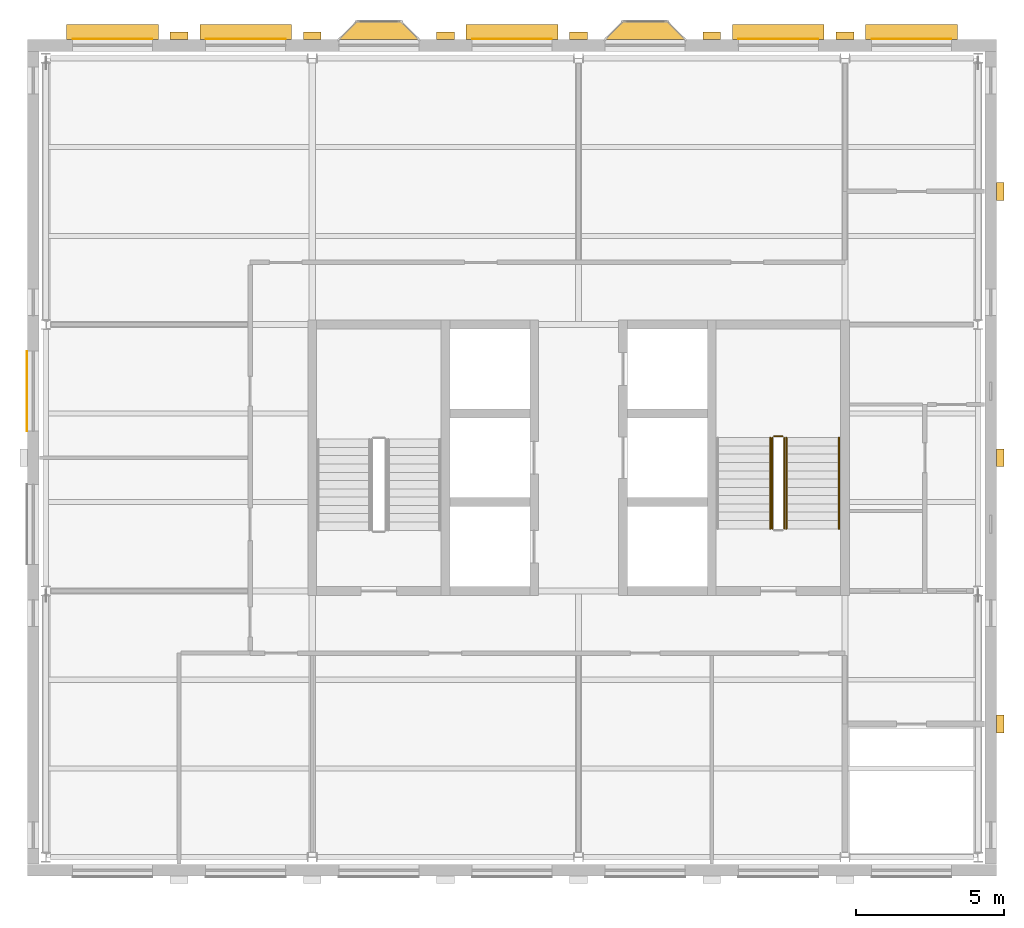
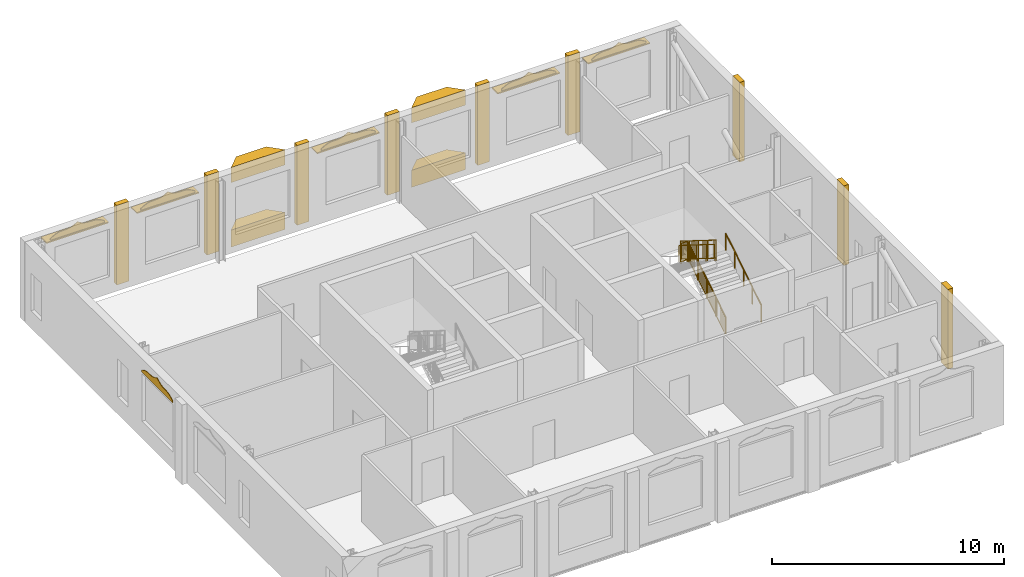
# One storey, part 9 of 9: 19 coverings, 6 railings, 5 shading devices.
"""IFC4 building model written with IfcOpenShell, lengths in metres."""

from ifc_helpers import new_model, si_unit, direction, frame, origin, origin_2d, place, context, subcontext, project, spatial, polyline, rectangle, circle, outline, extrude, material, layer, layer_set, type_object, element, save


model = new_model("IFC4")

# Units and contexts
model_context = context("Model", 3, precision=1e-05, world=origin(), true_north=direction((0.0, 1.0)))
body_context = subcontext(model_context, "Body", "Model", "MODEL_VIEW")
ifc_project = project(units=[si_unit("LENGTHUNIT", "METRE"), si_unit("AREAUNIT", "SQUARE_METRE"), si_unit("VOLUMEUNIT", "CUBIC_METRE"), si_unit("PLANEANGLEUNIT", "RADIAN"), si_unit("MASSUNIT", "GRAM", prefix="KILO")], contexts=[model_context])

# Site, building, storey
site_placement = place(None, origin())
site = spatial("IfcSite", under=ifc_project, at=site_placement, CompositionType="ELEMENT")
building_placement = place(site_placement, origin())
building = spatial("IfcBuilding", under=site, at=building_placement, Name="Hortulan Conservatory and Botanical Research Centre", CompositionType="ELEMENT")
storey_placement = place(building_placement, frame((0.0, 0.0, 40.199951171875)))
storey = spatial("IfcBuildingStorey", under=building, at=storey_placement, Name="L09", CompositionType="ELEMENT", Elevation=40.199951171875)

# Shading devices
ifc_material_1 = material(Name="Bronze-finished perforated aluminium", Category="aluminium")
ifc_layer_1 = layer(ifc_material_1, 0.06005859375)
ifc_layer_set_1 = layer_set([ifc_layer_1], Name="Catenary Hood 3100x500x60")
shading_device_type = type_object("IfcShadingDeviceType", Name="Catenary Hood 3100x500x60", PredefinedType="USERDEFINED", material=ifc_layer_set_1)
for number, where, z_axis, x_axis, name in (
    (1, (2.25, 27.885986328125, 3.409912109375), (0.0, 0.0, 1.0), (1.0, 0.0, 0.0), "Catenary hood"),
    (2, (6.75, 27.885986328125, 3.409912109375), (0.0, 0.0, 1.0), (1.0, 0.0, 0.0), "Catenary hood"),
    (3, (15.75, 27.885986328125, 3.409912109375), (0.0, 0.0, 1.0), (1.0, 0.0, 0.0), "Catenary hood"),
    (4, (24.75, 27.885986328125, 3.409912109375), (0.0, 0.0, 1.0), (1.0, 0.0, 0.0), "Catenary hood"),
    (5, (29.25, 27.885986328125, 3.409912109375), (0.0, 0.0, 1.0), (1.0, 0.0, 0.0), "Catenary hood"),
):
    element("IfcShadingDevice", number, at=place(storey_placement, frame(where, z_axis=z_axis, x_axis=x_axis)), inside=storey, type_object=shading_device_type, Name=name, ObjectType="Catenary hood", PredefinedType="USERDEFINED", context=body_context, shape_type="SweptSolid", body=[
        extrude(rectangle(XDim=3.10009765625, YDim=0.5, at=origin_2d()), origin(), (0.0, 0.0, 1.0), 0.06005859375),
    ])

# Coverings
ifc_material_2 = material(Name="Faience cladding, cream glaze (non-combustible)", Category="ceramic")
ifc_layer_2 = layer(ifc_material_2, 0.030029296875)
ifc_layer_set_2 = layer_set([ifc_layer_2], Name="Faience Ogee Head Panel Cream 2700x500")
covering_type_1 = type_object("IfcCoveringType", Name="Faience Ogee Head Panel Cream 2700x500", PredefinedType="CLADDING", material=ifc_layer_set_2)
for number, where, z_axis, x_axis, name in (
    (6, (-0.639892578125, 14.39990234375, 3.52001953125), (0.0, 0.0, 1.0), (0.0, 1.0, 0.0), "Ogee head panel"),
    (7, (14.39990234375, 27.65087890625, 3.52001953125), (0.0, 0.0, 1.0), (1.0, 0.0, 0.0), "Ogee head panel"),
):
    element("IfcCovering", number, at=place(storey_placement, frame(where, z_axis=z_axis, x_axis=x_axis)), inside=storey, type_object=covering_type_1, Name=name, PredefinedType="CLADDING", context=body_context, shape_type="SweptSolid", body=[
        extrude(outline(polyline([(0.0, 0.0), (2.699951171875, 0.0), (2.699951171875, 0.080078125), (2.58740234375, 0.148681640625), (2.47509765625, 0.208251953125), (2.362548828125, 0.252197265625), (2.25, 0.2783203125), (2.137451171875, 0.28857421875), (2.02490234375, 0.2900390625), (1.91259765625, 0.29150390625), (1.800048828125, 0.3017578125), (1.6875, 0.327880859375), (1.574951171875, 0.371826171875), (1.46240234375, 0.431396484375), (1.35009765625, 0.5), (1.237548828125, 0.431396484375), (1.125, 0.371826171875), (1.012451171875, 0.327880859375), (0.89990234375, 0.3017578125), (0.78759765625, 0.29150390625), (0.675048828125, 0.2900390625), (0.5625, 0.28857421875), (0.449951171875, 0.2783203125), (0.33740234375, 0.252197265625), (0.22509765625, 0.208251953125), (0.112548828125, 0.148681640625), (0.0, 0.080078125), (0.0, 0.0)])), frame((0.0, 0.01513671875, 0.0), z_axis=(0.0, -1.0, 0.0), x_axis=(1.0, 0.0, 0.0)), (0.0, 0.0, 1.0), 0.030029296875),
    ])
ifc_material_3 = material(Name="Faience cladding, waratah crimson glaze (non-combustible)", Category="ceramic")
ifc_layer_3 = layer(ifc_material_3, 0.030029296875)
ifc_layer_set_3 = layer_set([ifc_layer_3], Name="Faience Ogee Head Panel Crimson 2700x500")
covering_type_2 = type_object("IfcCoveringType", Name="Faience Ogee Head Panel Crimson 2700x500", PredefinedType="CLADDING", material=ifc_layer_set_3)
for number, where, z_axis, x_axis, name in (
    (8, (0.89990234375, 27.65087890625, 3.52001953125), (0.0, 0.0, 1.0), (1.0, 0.0, 0.0), "Ogee head panel"),
    (9, (23.39990234375, 27.65087890625, 3.52001953125), (0.0, 0.0, 1.0), (1.0, 0.0, 0.0), "Ogee head panel"),
    (10, (27.89990234375, 27.65087890625, 3.52001953125), (0.0, 0.0, 1.0), (1.0, 0.0, 0.0), "Ogee head panel"),
):
    element("IfcCovering", number, at=place(storey_placement, frame(where, z_axis=z_axis, x_axis=x_axis)), inside=storey, type_object=covering_type_2, Name=name, PredefinedType="CLADDING", context=body_context, shape_type="SweptSolid", body=[
        extrude(outline(polyline([(0.0, 0.0), (2.699951171875, 0.0), (2.699951171875, 0.080078125), (2.58740234375, 0.148681640625), (2.47509765625, 0.208251953125), (2.362548828125, 0.252197265625), (2.25, 0.2783203125), (2.137451171875, 0.28857421875), (2.02490234375, 0.2900390625), (1.91259765625, 0.29150390625), (1.800048828125, 0.3017578125), (1.6875, 0.327880859375), (1.574951171875, 0.371826171875), (1.46240234375, 0.431396484375), (1.35009765625, 0.5), (1.237548828125, 0.431396484375), (1.125, 0.371826171875), (1.012451171875, 0.327880859375), (0.89990234375, 0.3017578125), (0.78759765625, 0.29150390625), (0.675048828125, 0.2900390625), (0.5625, 0.28857421875), (0.449951171875, 0.2783203125), (0.33740234375, 0.252197265625), (0.22509765625, 0.208251953125), (0.112548828125, 0.148681640625), (0.0, 0.080078125), (0.0, 0.0)])), frame((0.0, 0.01513671875, 0.0), z_axis=(0.0, -1.0, 0.0), x_axis=(1.0, 0.0, 0.0)), (0.0, 0.0, 1.0), 0.030029296875),
    ])
ifc_material_4 = material(Name="Faience cladding, harbour teal glaze (non-combustible)", Category="ceramic")
ifc_layer_4 = layer(ifc_material_4, 0.030029296875)
ifc_layer_set_4 = layer_set([ifc_layer_4], Name="Faience Ogee Head Panel Teal 2700x500")
covering_type_3 = type_object("IfcCoveringType", Name="Faience Ogee Head Panel Teal 2700x500", PredefinedType="CLADDING", material=ifc_layer_set_4)
covering_1_placement = place(storey_placement, frame((5.39990234375, 27.65087890625, 3.52001953125), z_axis=(0.0, 0.0, 1.0), x_axis=(1.0, 0.0, 0.0)))
element("IfcCovering", 11, at=covering_1_placement, inside=storey, type_object=covering_type_3, Name="Ogee head panel", PredefinedType="CLADDING", context=body_context, shape_type="SweptSolid", body=[
    extrude(outline(polyline([(0.0, 0.0), (2.699951171875, 0.0), (2.699951171875, 0.080078125), (2.58740234375, 0.148681640625), (2.47509765625, 0.208251953125), (2.362548828125, 0.252197265625), (2.25, 0.2783203125), (2.137451171875, 0.28857421875), (2.02490234375, 0.2900390625), (1.91259765625, 0.29150390625), (1.800048828125, 0.3017578125), (1.6875, 0.327880859375), (1.574951171875, 0.371826171875), (1.46240234375, 0.431396484375), (1.35009765625, 0.5), (1.237548828125, 0.431396484375), (1.125, 0.371826171875), (1.012451171875, 0.327880859375), (0.89990234375, 0.3017578125), (0.78759765625, 0.29150390625), (0.675048828125, 0.2900390625), (0.5625, 0.28857421875), (0.449951171875, 0.2783203125), (0.33740234375, 0.252197265625), (0.22509765625, 0.208251953125), (0.112548828125, 0.148681640625), (0.0, 0.080078125), (0.0, 0.0)])), frame((0.0, 0.01513671875, 0.0), z_axis=(0.0, -1.0, 0.0), x_axis=(1.0, 0.0, 0.0)), (0.0, 0.0, 1.0), 0.030029296875),
])
ifc_material_5 = material(Name="Faience-faced brickwork masonry", Category="masonry")
covering_type_4 = type_object("IfcCoveringType", Name="Faience Oriel Base", PredefinedType="CLADDING", material=ifc_material_5)
covering_2_placement = place(storey_placement, origin())
element("IfcCovering", 12, at=covering_2_placement, inside=storey, type_object=covering_type_4, Name="Oriel base", PredefinedType="CLADDING", context=body_context, shape_type="SweptSolid", body=[
    extrude(outline(polyline([(9.89990234375, 27.635986328125), (10.5, 28.236083984375), (12.0, 28.236083984375), (12.60009765625, 27.635986328125), (9.89990234375, 27.635986328125)])), origin(), (0.0, 0.0, 1.0), 0.900146484375),
])
covering_3_placement = place(storey_placement, origin())
element("IfcCovering", 13, at=covering_3_placement, inside=storey, type_object=covering_type_4, Name="Oriel base", PredefinedType="CLADDING", context=body_context, shape_type="SweptSolid", body=[
    extrude(outline(polyline([(18.89990234375, 27.635986328125), (19.5, 28.236083984375), (21.0, 28.236083984375), (21.60009765625, 27.635986328125), (18.89990234375, 27.635986328125)])), origin(), (0.0, 0.0, 1.0), 0.900146484375),
])
covering_type_5 = type_object("IfcCoveringType", Name="Faience Oriel Frieze", PredefinedType="CLADDING", material=ifc_material_5)
covering_4_placement = place(storey_placement, frame((0.0, 0.0, 3.400146484375)))
element("IfcCovering", 14, at=covering_4_placement, inside=storey, type_object=covering_type_5, Name="Oriel frieze", PredefinedType="CLADDING", context=body_context, shape_type="SweptSolid", body=[
    extrude(outline(polyline([(9.89990234375, 27.635986328125), (10.5, 28.236083984375), (12.0, 28.236083984375), (12.60009765625, 27.635986328125), (9.89990234375, 27.635986328125)])), origin(), (0.0, 0.0, 1.0), 0.7998046875),
])
covering_5_placement = place(storey_placement, frame((0.0, 0.0, 3.400146484375)))
element("IfcCovering", 15, at=covering_5_placement, inside=storey, type_object=covering_type_5, Name="Oriel frieze", PredefinedType="CLADDING", context=body_context, shape_type="SweptSolid", body=[
    extrude(outline(polyline([(18.89990234375, 27.635986328125), (19.5, 28.236083984375), (21.0, 28.236083984375), (21.60009765625, 27.635986328125), (18.89990234375, 27.635986328125)])), origin(), (0.0, 0.0, 1.0), 0.7998046875),
])
ifc_layer_5 = layer(ifc_material_2, 0.25)
ifc_layer_set_5 = layer_set([ifc_layer_5], Name="Faience Pilaster 600x250")
covering_type_6 = type_object("IfcCoveringType", Name="Faience Pilaster 600x250", PredefinedType="CLADDING", material=ifc_layer_set_5)
for number, where, z_axis, x_axis, name in (
    (16, (4.5, 27.760986328125, 0.0), (0.0, 0.0, 1.0), (1.0, 0.0, 0.0), "Pier"),
    (17, (9.0, 27.760986328125, 0.0), (0.0, 0.0, 1.0), (1.0, 0.0, 0.0), "Pier"),
    (18, (13.5, 27.760986328125, 0.0), (0.0, 0.0, 1.0), (1.0, 0.0, 0.0), "Pier"),
    (19, (18.0, 27.760986328125, 0.0), (0.0, 0.0, 1.0), (1.0, 0.0, 0.0), "Pier"),
    (20, (22.5, 27.760986328125, 0.0), (0.0, 0.0, 1.0), (1.0, 0.0, 0.0), "Pier"),
    (21, (27.0, 27.760986328125, 0.0), (0.0, 0.0, 1.0), (1.0, 0.0, 0.0), "Pier"),
    (22, (32.25, 4.5, 0.0), (0.0, 0.0, 1.0), (0.0, 1.0, 0.0), "Pier"),
    (23, (32.25, 13.5, 0.0), (0.0, 0.0, 1.0), (0.0, 1.0, 0.0), "Pier"),
    (24, (32.25, 22.5, 0.0), (0.0, 0.0, 1.0), (0.0, 1.0, 0.0), "Pier"),
):
    element("IfcCovering", number, at=place(storey_placement, frame(where, z_axis=z_axis, x_axis=x_axis)), inside=storey, type_object=covering_type_6, Name=name, PredefinedType="CLADDING", context=body_context, shape_type="SweptSolid", body=[
        extrude(rectangle(XDim=0.60009765625, YDim=0.25, at=origin_2d()), origin(), (0.0, 0.0, 1.0), 4.199951171875),
    ])

# Railings
ifc_material_6 = material(Name="Steel balustrade, bronze-charcoal paint", Category="steel")
railing_type_1 = type_object("IfcRailingType", Name="Stair Guard 1100", PredefinedType="GUARDRAIL", material=ifc_material_6)
railing_1_placement = place(storey_placement, frame((24.949951171875, 11.10009765625, 0.175048828125)))
element("IfcRailing", 25, at=railing_1_placement, inside=storey, type_object=railing_type_1, Name="Guard T2 L09 stair 1", PredefinedType="GUARDRAIL", context=body_context, shape_type="SweptSolid", body=[
    extrude(circle(Radius=0.02392578125, at=origin_2d()), frame((0.0, 0.0, 1.076171875), z_axis=(0.0, 0.847979421464, 0.530029150871), x_axis=(-1.0, 0.0, 0.0)), (0.0, 0.0, 1.0), 3.632080078125),
    extrude(circle(Radius=0.02392578125, at=origin_2d()), frame((0.0, 0.0, 0.1240234375), z_axis=(0.0, 0.847979421464, 0.530029150871), x_axis=(-1.0, 0.0, 0.0)), (0.0, 0.0, 1.0), 3.632080078125),
    extrude(circle(Radius=0.008056640625, at=origin_2d()), frame((0.0, 0.090576171875, 0.204833984375)), (0.0, 0.0, 1.0), 0.90380859375),
    extrude(circle(Radius=0.008056640625, at=origin_2d()), frame((0.0, 0.18115234375, 0.261474609375)), (0.0, 0.0, 1.0), 0.90380859375),
    extrude(circle(Radius=0.008056640625, at=origin_2d()), frame((0.0, 0.271728515625, 0.318115234375)), (0.0, 0.0, 1.0), 0.90380859375),
    extrude(circle(Radius=0.008056640625, at=origin_2d()), frame((0.0, 0.3623046875, 0.374755859375)), (0.0, 0.0, 1.0), 0.90380859375),
    extrude(circle(Radius=0.008056640625, at=origin_2d()), frame((0.0, 0.452880859375, 0.431396484375)), (0.0, 0.0, 1.0), 0.90380859375),
    extrude(circle(Radius=0.008056640625, at=origin_2d()), frame((0.0, 0.54345703125, 0.48779296875)), (0.0, 0.0, 1.0), 0.90380859375),
    extrude(circle(Radius=0.008056640625, at=origin_2d()), frame((0.0, 0.634033203125, 0.54443359375)), (0.0, 0.0, 1.0), 0.90380859375),
    extrude(circle(Radius=0.008056640625, at=origin_2d()), frame((0.0, 0.724609375, 0.60107421875)), (0.0, 0.0, 1.0), 0.90380859375),
    extrude(circle(Radius=0.008056640625, at=origin_2d()), frame((0.0, 0.815185546875, 0.65771484375)), (0.0, 0.0, 1.0), 0.90380859375),
    extrude(circle(Radius=0.008056640625, at=origin_2d()), frame((0.0, 0.90576171875, 0.71435546875)), (0.0, 0.0, 1.0), 0.90380859375),
    extrude(circle(Radius=0.008056640625, at=origin_2d()), frame((0.0, 0.996337890625, 0.77099609375)), (0.0, 0.0, 1.0), 0.90380859375),
    extrude(circle(Radius=0.008056640625, at=origin_2d()), frame((0.0, 1.0869140625, 0.82763671875)), (0.0, 0.0, 1.0), 0.90380859375),
    extrude(circle(Radius=0.008056640625, at=origin_2d()), frame((0.0, 1.177490234375, 0.88427734375)), (0.0, 0.0, 1.0), 0.90380859375),
    extrude(circle(Radius=0.008056640625, at=origin_2d()), frame((0.0, 1.26806640625, 0.94091796875)), (0.0, 0.0, 1.0), 0.90380859375),
    extrude(circle(Radius=0.008056640625, at=origin_2d()), frame((0.0, 1.358642578125, 0.99755859375)), (0.0, 0.0, 1.0), 0.90380859375),
    extrude(circle(Radius=0.008056640625, at=origin_2d()), frame((0.0, 1.44921875, 1.05419921875)), (0.0, 0.0, 1.0), 0.90380859375),
    extrude(circle(Radius=0.008056640625, at=origin_2d()), frame((0.0, 1.5400390625, 1.11083984375)), (0.0, 0.0, 1.0), 0.90380859375),
    extrude(circle(Radius=0.008056640625, at=origin_2d()), frame((0.0, 1.630615234375, 1.167236328125)), (0.0, 0.0, 1.0), 0.90380859375),
    extrude(circle(Radius=0.008056640625, at=origin_2d()), frame((0.0, 1.72119140625, 1.223876953125)), (0.0, 0.0, 1.0), 0.90380859375),
    extrude(circle(Radius=0.008056640625, at=origin_2d()), frame((0.0, 1.811767578125, 1.280517578125)), (0.0, 0.0, 1.0), 0.90380859375),
    extrude(circle(Radius=0.008056640625, at=origin_2d()), frame((0.0, 1.90234375, 1.337158203125)), (0.0, 0.0, 1.0), 0.90380859375),
    extrude(circle(Radius=0.008056640625, at=origin_2d()), frame((0.0, 1.992919921875, 1.393798828125)), (0.0, 0.0, 1.0), 0.90380859375),
    extrude(circle(Radius=0.008056640625, at=origin_2d()), frame((0.0, 2.08349609375, 1.450439453125)), (0.0, 0.0, 1.0), 0.90380859375),
    extrude(circle(Radius=0.008056640625, at=origin_2d()), frame((0.0, 2.174072265625, 1.507080078125)), (0.0, 0.0, 1.0), 0.90380859375),
    extrude(circle(Radius=0.008056640625, at=origin_2d()), frame((0.0, 2.2646484375, 1.563720703125)), (0.0, 0.0, 1.0), 0.90380859375),
    extrude(circle(Radius=0.008056640625, at=origin_2d()), frame((0.0, 2.355224609375, 1.620361328125)), (0.0, 0.0, 1.0), 0.90380859375),
    extrude(circle(Radius=0.008056640625, at=origin_2d()), frame((0.0, 2.44580078125, 1.677001953125)), (0.0, 0.0, 1.0), 0.90380859375),
    extrude(circle(Radius=0.008056640625, at=origin_2d()), frame((0.0, 2.536376953125, 1.733642578125)), (0.0, 0.0, 1.0), 0.90380859375),
    extrude(circle(Radius=0.008056640625, at=origin_2d()), frame((0.0, 2.626953125, 1.7900390625)), (0.0, 0.0, 1.0), 0.90380859375),
    extrude(circle(Radius=0.008056640625, at=origin_2d()), frame((0.0, 2.717529296875, 1.8466796875)), (0.0, 0.0, 1.0), 0.90380859375),
    extrude(circle(Radius=0.008056640625, at=origin_2d()), frame((0.0, 2.80810546875, 1.9033203125)), (0.0, 0.0, 1.0), 0.90380859375),
    extrude(circle(Radius=0.008056640625, at=origin_2d()), frame((0.0, 2.898681640625, 1.9599609375)), (0.0, 0.0, 1.0), 0.90380859375),
    extrude(circle(Radius=0.008056640625, at=origin_2d()), frame((0.0, 2.9892578125, 2.0166015625)), (0.0, 0.0, 1.0), 0.90380859375),
    extrude(circle(Radius=0.02099609375, at=origin_2d()), origin(), (0.0, 0.0, 1.0), 1.052001953125),
    extrude(circle(Radius=0.02099609375, at=origin_2d()), frame((0.0, 0.77001953125, 0.481201171875)), (0.0, 0.0, 1.0), 1.052001953125),
    extrude(circle(Radius=0.02099609375, at=origin_2d()), frame((0.0, 1.5400390625, 0.96240234375)), (0.0, 0.0, 1.0), 1.052001953125),
    extrude(circle(Radius=0.02099609375, at=origin_2d()), frame((0.0, 2.309814453125, 1.44384765625)), (0.0, 0.0, 1.0), 1.052001953125),
    extrude(circle(Radius=0.02099609375, at=origin_2d()), frame((0.0, 3.079833984375, 1.925048828125)), (0.0, 0.0, 1.0), 1.052001953125),
])
railing_2_placement = place(storey_placement, frame((24.89990234375, 14.22998046875, 2.10009765625)))
element("IfcRailing", 26, at=railing_2_placement, inside=storey, type_object=railing_type_1, Name="Guard T2 L09 stair 2", PredefinedType="GUARDRAIL", context=body_context, shape_type="SweptSolid", body=[
    extrude(circle(Radius=0.02392578125, at=origin_2d()), frame((0.0, 0.0, 1.076171875), z_axis=(-1.0, 0.0, 0.0), x_axis=(0.0, -1.0, 0.0)), (0.0, 0.0, 1.0), 0.2998046875),
    extrude(circle(Radius=0.02392578125, at=origin_2d()), frame((0.0, 0.0, 0.1240234375), z_axis=(-1.0, 0.0, 0.0), x_axis=(0.0, -1.0, 0.0)), (0.0, 0.0, 1.0), 0.2998046875),
    extrude(circle(Radius=0.008056640625, at=origin_2d()), frame((-0.099853515625, 0.0, 0.148193359375)), (0.0, 0.0, 1.0), 0.90380859375),
    extrude(circle(Radius=0.008056640625, at=origin_2d()), frame((-0.199951171875, 0.0, 0.148193359375)), (0.0, 0.0, 1.0), 0.90380859375),
    extrude(circle(Radius=0.02099609375, at=origin_2d()), origin(), (0.0, 0.0, 1.0), 1.052001953125),
    extrude(circle(Radius=0.02099609375, at=origin_2d()), frame((-0.2998046875, 0.0, 0.0)), (0.0, 0.0, 1.0), 1.052001953125),
])
railing_3_placement = place(storey_placement, frame((24.550048828125, 14.179931640625, 2.275146484375)))
element("IfcRailing", 27, at=railing_3_placement, inside=storey, type_object=railing_type_1, Name="Guard T2 L09 stair 3", PredefinedType="GUARDRAIL", context=body_context, shape_type="SweptSolid", body=[
    extrude(circle(Radius=0.02392578125, at=origin_2d()), frame((0.0, 0.0, 1.076171875), z_axis=(0.0, -0.848009633417, 0.529980812513), x_axis=(1.0, 0.0, 0.0)), (0.0, 0.0, 1.0), 3.6318359375),
    extrude(circle(Radius=0.02392578125, at=origin_2d()), frame((0.0, 0.0, 0.1240234375), z_axis=(0.0, -0.848009633417, 0.529980812513), x_axis=(1.0, 0.0, 0.0)), (0.0, 0.0, 1.0), 3.6318359375),
    extrude(circle(Radius=0.008056640625, at=origin_2d()), frame((0.0, -0.090576171875, 0.204833984375)), (0.0, 0.0, 1.0), 0.90380859375),
    extrude(circle(Radius=0.008056640625, at=origin_2d()), frame((0.0, -0.18115234375, 0.261474609375)), (0.0, 0.0, 1.0), 0.90380859375),
    extrude(circle(Radius=0.008056640625, at=origin_2d()), frame((0.0, -0.271728515625, 0.318115234375)), (0.0, 0.0, 1.0), 0.90380859375),
    extrude(circle(Radius=0.008056640625, at=origin_2d()), frame((0.0, -0.3623046875, 0.374755859375)), (0.0, 0.0, 1.0), 0.90380859375),
    extrude(circle(Radius=0.008056640625, at=origin_2d()), frame((0.0, -0.452880859375, 0.43115234375)), (0.0, 0.0, 1.0), 0.90380859375),
    extrude(circle(Radius=0.008056640625, at=origin_2d()), frame((0.0, -0.54345703125, 0.48779296875)), (0.0, 0.0, 1.0), 0.90380859375),
    extrude(circle(Radius=0.008056640625, at=origin_2d()), frame((0.0, -0.634033203125, 0.54443359375)), (0.0, 0.0, 1.0), 0.90380859375),
    extrude(circle(Radius=0.008056640625, at=origin_2d()), frame((0.0, -0.724609375, 0.60107421875)), (0.0, 0.0, 1.0), 0.90380859375),
    extrude(circle(Radius=0.008056640625, at=origin_2d()), frame((0.0, -0.815185546875, 0.65771484375)), (0.0, 0.0, 1.0), 0.90380859375),
    extrude(circle(Radius=0.008056640625, at=origin_2d()), frame((0.0, -0.90576171875, 0.71435546875)), (0.0, 0.0, 1.0), 0.90380859375),
    extrude(circle(Radius=0.008056640625, at=origin_2d()), frame((0.0, -0.996337890625, 0.77099609375)), (0.0, 0.0, 1.0), 0.90380859375),
    extrude(circle(Radius=0.008056640625, at=origin_2d()), frame((0.0, -1.0869140625, 0.82763671875)), (0.0, 0.0, 1.0), 0.90380859375),
    extrude(circle(Radius=0.008056640625, at=origin_2d()), frame((0.0, -1.177490234375, 0.884033203125)), (0.0, 0.0, 1.0), 0.90380859375),
    extrude(circle(Radius=0.008056640625, at=origin_2d()), frame((0.0, -1.26806640625, 0.940673828125)), (0.0, 0.0, 1.0), 0.90380859375),
    extrude(circle(Radius=0.008056640625, at=origin_2d()), frame((0.0, -1.358642578125, 0.997314453125)), (0.0, 0.0, 1.0), 0.90380859375),
    extrude(circle(Radius=0.008056640625, at=origin_2d()), frame((0.0, -1.44921875, 1.053955078125)), (0.0, 0.0, 1.0), 0.90380859375),
    extrude(circle(Radius=0.008056640625, at=origin_2d()), frame((0.0, -1.5400390625, 1.110595703125)), (0.0, 0.0, 1.0), 0.90380859375),
    extrude(circle(Radius=0.008056640625, at=origin_2d()), frame((0.0, -1.630615234375, 1.167236328125)), (0.0, 0.0, 1.0), 0.90380859375),
    extrude(circle(Radius=0.008056640625, at=origin_2d()), frame((0.0, -1.72119140625, 1.223876953125)), (0.0, 0.0, 1.0), 0.90380859375),
    extrude(circle(Radius=0.008056640625, at=origin_2d()), frame((0.0, -1.811767578125, 1.280517578125)), (0.0, 0.0, 1.0), 0.90380859375),
    extrude(circle(Radius=0.008056640625, at=origin_2d()), frame((0.0, -1.90234375, 1.337158203125)), (0.0, 0.0, 1.0), 0.90380859375),
    extrude(circle(Radius=0.008056640625, at=origin_2d()), frame((0.0, -1.992919921875, 1.3935546875)), (0.0, 0.0, 1.0), 0.90380859375),
    extrude(circle(Radius=0.008056640625, at=origin_2d()), frame((0.0, -2.08349609375, 1.4501953125)), (0.0, 0.0, 1.0), 0.90380859375),
    extrude(circle(Radius=0.008056640625, at=origin_2d()), frame((0.0, -2.174072265625, 1.5068359375)), (0.0, 0.0, 1.0), 0.90380859375),
    extrude(circle(Radius=0.008056640625, at=origin_2d()), frame((0.0, -2.2646484375, 1.5634765625)), (0.0, 0.0, 1.0), 0.90380859375),
    extrude(circle(Radius=0.008056640625, at=origin_2d()), frame((0.0, -2.355224609375, 1.6201171875)), (0.0, 0.0, 1.0), 0.90380859375),
    extrude(circle(Radius=0.008056640625, at=origin_2d()), frame((0.0, -2.44580078125, 1.6767578125)), (0.0, 0.0, 1.0), 0.90380859375),
    extrude(circle(Radius=0.008056640625, at=origin_2d()), frame((0.0, -2.536376953125, 1.7333984375)), (0.0, 0.0, 1.0), 0.90380859375),
    extrude(circle(Radius=0.008056640625, at=origin_2d()), frame((0.0, -2.626953125, 1.7900390625)), (0.0, 0.0, 1.0), 0.90380859375),
    extrude(circle(Radius=0.008056640625, at=origin_2d()), frame((0.0, -2.717529296875, 1.846435546875)), (0.0, 0.0, 1.0), 0.90380859375),
    extrude(circle(Radius=0.008056640625, at=origin_2d()), frame((0.0, -2.80810546875, 1.903076171875)), (0.0, 0.0, 1.0), 0.90380859375),
    extrude(circle(Radius=0.008056640625, at=origin_2d()), frame((0.0, -2.898681640625, 1.959716796875)), (0.0, 0.0, 1.0), 0.90380859375),
    extrude(circle(Radius=0.008056640625, at=origin_2d()), frame((0.0, -2.9892578125, 2.016357421875)), (0.0, 0.0, 1.0), 0.90380859375),
    extrude(circle(Radius=0.02099609375, at=origin_2d()), origin(), (0.0, 0.0, 1.0), 1.052001953125),
    extrude(circle(Radius=0.02099609375, at=origin_2d()), frame((0.0, -0.77001953125, 0.481201171875)), (0.0, 0.0, 1.0), 1.052001953125),
    extrude(circle(Radius=0.02099609375, at=origin_2d()), frame((0.0, -1.5400390625, 0.96240234375)), (0.0, 0.0, 1.0), 1.052001953125),
    extrude(circle(Radius=0.02099609375, at=origin_2d()), frame((0.0, -2.309814453125, 1.443603515625)), (0.0, 0.0, 1.0), 1.052001953125),
    extrude(circle(Radius=0.02099609375, at=origin_2d()), frame((0.0, -3.079833984375, 1.9248046875)), (0.0, 0.0, 1.0), 1.052001953125),
])
ifc_material_7 = material(Name="Bronze handrail, polished", Category="metal")
railing_type_2 = type_object("IfcRailingType", Name="Stair Handrail 900", PredefinedType="HANDRAIL", material=ifc_material_7)
for number, where, name in (
    (28, (26.800048828125, 11.10009765625, 0.175048828125), "Handrail T2 L09 stair 1"),
    (29, (25.02001953125, 11.10009765625, 0.175048828125), "Handrail T2 L09 stair 3"),
):
    element("IfcRailing", number, at=place(storey_placement, frame(where)), inside=storey, type_object=railing_type_2, Name=name, PredefinedType="HANDRAIL", context=body_context, shape_type="SweptSolid", body=[
        extrude(circle(Radius=0.02392578125, at=origin_2d()), frame((0.0, 0.0, 0.8759765625), z_axis=(0.0, 0.847979421464, 0.530029150871), x_axis=(-1.0, 0.0, 0.0)), (0.0, 0.0, 1.0), 3.632080078125),
        extrude(circle(Radius=0.02099609375, at=origin_2d()), origin(), (0.0, 0.0, 1.0), 0.851806640625),
        extrude(circle(Radius=0.02099609375, at=origin_2d()), frame((0.0, 0.77001953125, 0.481201171875)), (0.0, 0.0, 1.0), 0.851806640625),
        extrude(circle(Radius=0.02099609375, at=origin_2d()), frame((0.0, 1.5400390625, 0.96240234375)), (0.0, 0.0, 1.0), 0.851806640625),
        extrude(circle(Radius=0.02099609375, at=origin_2d()), frame((0.0, 2.309814453125, 1.44384765625)), (0.0, 0.0, 1.0), 0.851806640625),
        extrude(circle(Radius=0.02099609375, at=origin_2d()), frame((0.0, 3.079833984375, 1.925048828125)), (0.0, 0.0, 1.0), 0.851806640625),
    ])
railing_4_placement = place(storey_placement, frame((24.47998046875, 14.179931640625, 2.275146484375)))
element("IfcRailing", 30, at=railing_4_placement, inside=storey, type_object=railing_type_2, Name="Handrail T2 L09 stair 4", PredefinedType="HANDRAIL", context=body_context, shape_type="SweptSolid", body=[
    extrude(circle(Radius=0.02392578125, at=origin_2d()), frame((0.0, 0.0, 0.8759765625), z_axis=(0.0, -0.848009633417, 0.529980812513), x_axis=(1.0, 0.0, 0.0)), (0.0, 0.0, 1.0), 3.6318359375),
    extrude(circle(Radius=0.02099609375, at=origin_2d()), origin(), (0.0, 0.0, 1.0), 0.851806640625),
    extrude(circle(Radius=0.02099609375, at=origin_2d()), frame((0.0, -0.77001953125, 0.481201171875)), (0.0, 0.0, 1.0), 0.851806640625),
    extrude(circle(Radius=0.02099609375, at=origin_2d()), frame((0.0, -1.5400390625, 0.96240234375)), (0.0, 0.0, 1.0), 0.851806640625),
    extrude(circle(Radius=0.02099609375, at=origin_2d()), frame((0.0, -2.309814453125, 1.443603515625)), (0.0, 0.0, 1.0), 0.851806640625),
    extrude(circle(Radius=0.02099609375, at=origin_2d()), frame((0.0, -3.079833984375, 1.9248046875)), (0.0, 0.0, 1.0), 0.851806640625),
])

save(model, "model.ifc")
